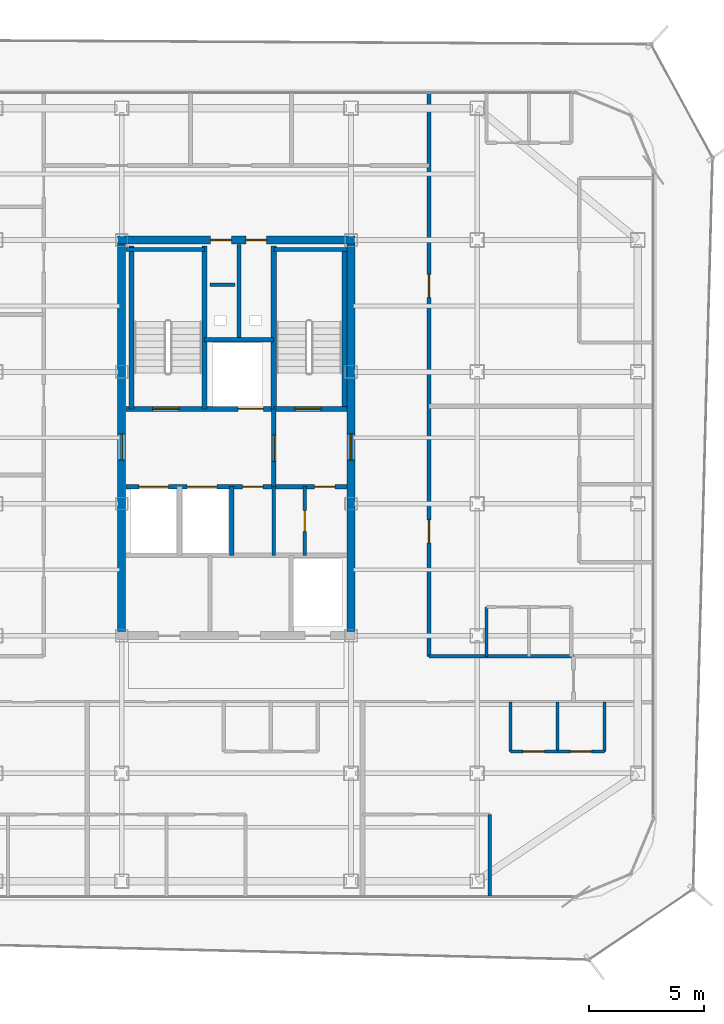
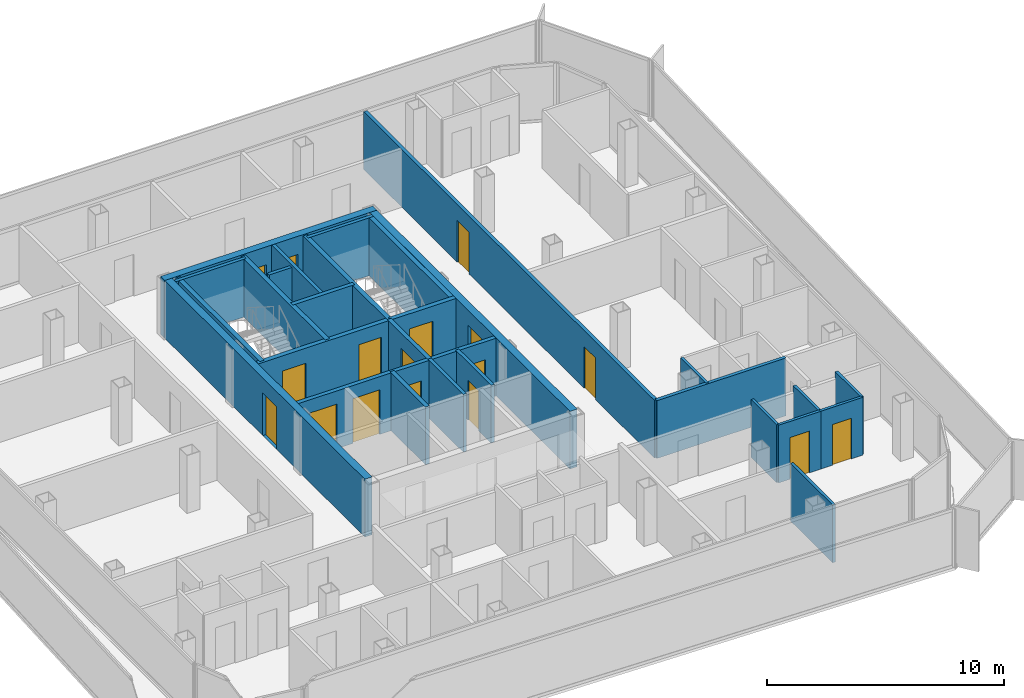
# One storey, part 11 of 15: 28 walls, 17 doors, 17 openings.
"""IFC4 building model written with IfcOpenShell, lengths in metres."""

import ifcopenshell
import ifcopenshell.guid

model = None  # the IFC model being written
_history = None  # IfcOwnerHistory: only IFC2X3 demands one
_inside = {}  # id of a spatial element -> (the spatial element, [elements in it])
_under = {}  # id of a project, library or spatial element -> (it, [spatial elements below it])
_declared = {}  # id of a project -> (the project, [libraries it declares])
_typed = {}  # id of a type object -> (the type object, [elements of that type])
_made_of = {}  # id of a material, layer set ... -> (it, [elements and type objects made of it])


def new_model(schema):
    """Start an empty IFC model of exactly this schema.

    Asked for "IFC4X3", IfcOpenShell would pick the latest addendum, in which some entities
    have other attributes; the version numbers below select the first issue.
    IFC2X3 requires an IfcOwnerHistory on every rooted entity: one is made here for all.
    """
    global model, _history
    if schema == "IFC4X3":
        model = ifcopenshell.file(schema_version=(4, 3, 0, 0))
    else:
        model = ifcopenshell.file(schema=schema)
    _inside.clear()
    _under.clear()
    _declared.clear()
    _typed.clear()
    _made_of.clear()
    _history = None
    if model.schema == "IFC2X3":
        org = make("IfcOrganization", Name="unknown")
        user = make(
            "IfcPersonAndOrganization",
            ThePerson=make("IfcPerson", FamilyName="unknown"),
            TheOrganization=org,
        )
        app = make(
            "IfcApplication",
            ApplicationDeveloper=org,
            Version="unknown",
            ApplicationFullName="unknown",
            ApplicationIdentifier="unknown",
        )
        _history = make(
            "IfcOwnerHistory",
            OwningUser=user,
            OwningApplication=app,
            ChangeAction="ADDED",
            CreationDate=0,
        )
    return model


def make(cls, **values):
    """One entity of the class cls with the attributes given. An attribute that is None is left unset."""
    return model.create_entity(
        cls, **{name: value for name, value in values.items() if value is not None}
    )


def rooted(cls, **values):
    """An entity with a GlobalId (a new one), such as an element, a storey or a relation."""
    return make(cls, GlobalId=ifcopenshell.guid.new(), OwnerHistory=_history, **values)


def si_unit(unit_type, name, prefix=None):
    """IfcSIUnit, for example si_unit("LENGTHUNIT", "METRE", prefix="MILLI")."""
    return make("IfcSIUnit", UnitType=unit_type, Prefix=prefix, Name=name)


def assignment(units):
    """IfcUnitAssignment: the units of a project."""
    return None if units is None else make("IfcUnitAssignment", Units=units)


def point(xyz):
    """IfcCartesianPoint."""
    return None if xyz is None else make("IfcCartesianPoint", Coordinates=xyz)


def direction(xyz):
    """IfcDirection."""
    return None if xyz is None else make("IfcDirection", DirectionRatios=xyz)


def frame(location, z_axis=None, x_axis=None):
    """IfcAxis2Placement3D, a coordinate frame: its origin and axes. An axis left out is left unset."""
    return make(
        "IfcAxis2Placement3D",
        Location=point(location),
        Axis=direction(z_axis),
        RefDirection=direction(x_axis),
    )


def frame_2d(location, x_axis=None):
    """IfcAxis2Placement2D, a coordinate frame in the plane: its origin and x axis."""
    return make(
        "IfcAxis2Placement2D", Location=point(location), RefDirection=direction(x_axis)
    )


def origin():
    """The frame at (0, 0, 0) with its axes left unset."""
    return frame((0.0, 0.0, 0.0))


def place(relative_to, where):
    """IfcLocalPlacement: puts the frame where relative to a parent placement (None: the world)."""
    return make(
        "IfcLocalPlacement", PlacementRelTo=relative_to, RelativePlacement=where
    )


def context(
    kind, dimensions, precision=None, world=None, true_north=None, identifier=None
):
    """IfcGeometricRepresentationContext, for example the 3D "Model" context."""
    return make(
        "IfcGeometricRepresentationContext",
        ContextIdentifier=identifier,
        ContextType=kind,
        CoordinateSpaceDimension=dimensions,
        Precision=precision,
        WorldCoordinateSystem=world,
        TrueNorth=true_north,
    )


def subcontext(parent, identifier, kind, view, scale=None):
    """IfcGeometricRepresentationSubContext, for example "Body" below "Model"."""
    return make(
        "IfcGeometricRepresentationSubContext",
        ContextIdentifier=identifier,
        ContextType=kind,
        ParentContext=parent,
        TargetScale=scale,
        TargetView=view,
    )


def project(units=None, contexts=None):
    """IfcProject with its units and contexts."""
    return rooted(
        "IfcProject",
        Name="project",
        RepresentationContexts=contexts,
        UnitsInContext=assignment(units),
    )


def spatial(cls, under=None, at=None, **own):
    """A site, building, storey or space (cls), placed at a placement, below another one or the project."""
    s = rooted(cls, ObjectPlacement=at, **own)
    if under is not None:
        _under.setdefault(under.id(), (under, []))[1].append(s)
    return s


def profile(cls, at=None, kind="AREA", **sizes):
    """A parametric profile (cls). Its sizes go by their IFC names, for example OverallWidth=200.0."""
    return make(cls, ProfileType=kind, Position=at, **sizes)


def rectangle(**sizes):
    """IfcRectangleProfileDef."""
    return profile("IfcRectangleProfileDef", **sizes)


def extrude(swept, where, along, depth):
    """IfcExtrudedAreaSolid: the profile swept, set in the frame where, extruded along a direction by depth."""
    return make(
        "IfcExtrudedAreaSolid",
        SweptArea=swept,
        Position=where,
        ExtrudedDirection=direction(along),
        Depth=depth,
    )


def shape(context_of_items, identifier, shape_type, items):
    """IfcShapeRepresentation: the items that make up one representation, for example the "Body"."""
    return make(
        "IfcShapeRepresentation",
        ContextOfItems=context_of_items,
        RepresentationIdentifier=identifier,
        RepresentationType=shape_type,
        Items=items,
    )


def material(Name=None, Category=None):
    """IfcMaterial."""
    return make("IfcMaterial", Name=Name, Category=Category)


def layer(
    of_material, thickness, ventilated=None, Name=None, Category=None, Priority=None
):
    """IfcMaterialLayer: one layer of a wall or slab, of a material (None: an air gap)."""
    return make(
        "IfcMaterialLayer",
        Material=of_material,
        LayerThickness=thickness,
        IsVentilated=ventilated,
        Name=Name,
        Category=Category,
        Priority=Priority,
    )


def layer_set(layers, Name=None):
    """IfcMaterialLayerSet."""
    return make("IfcMaterialLayerSet", MaterialLayers=layers, LayerSetName=Name)


def made_of(thing, what):
    """Note that an element or type object is made of a material, layer set ...; save() writes the relation."""
    if what is not None:
        _made_of.setdefault(what.id(), (what, []))[1].append(thing)
    return thing


def type_object(cls, material=None, **own):
    """A type object (cls), such as IfcWallType, which elements share."""
    return made_of(rooted(cls, **own), material)


def element(
    cls,
    number,
    at=None,
    inside=None,
    cuts=None,
    type_object=None,
    material=None,
    context=None,
    identifier="Body",
    shape_type=None,
    held_by="IfcProductDefinitionShape",
    body=None,
    shapes=None,
    **own,
):
    """One element of the class cls, such as IfcWall. Its Tag is "e" and its number.

    at: its placement. inside: the storey or other place that contains it. cuts: it is an
    opening in that element (IfcRelVoidsElement). A single representation is given by context,
    identifier, shape_type and body (its items); several are given by shapes. held_by: the class
    of the entity that holds the representations. save() writes the other relations.
    """
    e = rooted(cls, Tag="e%d" % number, ObjectPlacement=at, **own)
    if body is not None:
        shapes = [shape(context, identifier, shape_type, body)]
    if shapes is not None:
        e.Representation = make(held_by, Representations=shapes)
    if inside is not None:
        _inside.setdefault(inside.id(), (inside, []))[1].append(e)
    if cuts is not None:
        rooted(
            "IfcRelVoidsElement", RelatingBuildingElement=cuts, RelatedOpeningElement=e
        )
    if type_object is not None:
        _typed.setdefault(type_object.id(), (type_object, []))[1].append(e)
    return made_of(e, material)


def fill(opening, filler):
    """IfcRelFillsElement: the door or window that sits in an opening."""
    return rooted(
        "IfcRelFillsElement",
        RelatingOpeningElement=opening,
        RelatedBuildingElement=filler,
    )


def aggregate(whole, parts):
    """IfcRelAggregates: a whole, such as a stair, and the parts it consists of."""
    return rooted("IfcRelAggregates", RelatingObject=whole, RelatedObjects=parts)


def save(model, path):
    """Write the relations noted so far, then the file.

    IfcRelAggregates (storeys below a building ...), IfcRelContainedInSpatialStructure (elements
    in a storey), IfcRelDefinesByType, IfcRelAssociatesMaterial and IfcRelDeclares: one each for
    every whole, place, type object, material and project.
    """
    for whole, parts in _under.values():
        aggregate(whole, parts)
    for where, things in _inside.values():
        rooted(
            "IfcRelContainedInSpatialStructure",
            RelatedElements=things,
            RelatingStructure=where,
        )
    for kind, things in _typed.values():
        rooted("IfcRelDefinesByType", RelatedObjects=things, RelatingType=kind)
    for what, things in _made_of.values():
        rooted("IfcRelAssociatesMaterial", RelatedObjects=things, RelatingMaterial=what)
    for by, libraries in _declared.values():
        rooted("IfcRelDeclares", RelatingContext=by, RelatedDefinitions=libraries)
    model.write(path)


model = new_model("IFC4")

# Units and contexts
model_context = context("Model", 3, precision=1e-05, world=origin(), true_north=direction((0.0, 1.0)))
body_context = subcontext(model_context, "Body", "Model", "MODEL_VIEW")
ifc_project = project(units=[si_unit("LENGTHUNIT", "METRE"), si_unit("AREAUNIT", "SQUARE_METRE"), si_unit("VOLUMEUNIT", "CUBIC_METRE"), si_unit("PLANEANGLEUNIT", "RADIAN"), si_unit("MASSUNIT", "GRAM", prefix="KILO")], contexts=[model_context])

# Site, building, storey
site_placement = place(None, origin())
site = spatial("IfcSite", under=ifc_project, at=site_placement, CompositionType="ELEMENT")
building_placement = place(site_placement, origin())
building = spatial("IfcBuilding", under=site, at=building_placement, Name="Kolveth Station Tower", CompositionType="ELEMENT")
storey_placement = place(building_placement, frame((0.0, 0.0, 252.10009765625)))
storey = spatial("IfcBuildingStorey", under=building, at=storey_placement, Name="L72", CompositionType="ELEMENT", Elevation=252.10009765625)

# Wall, openings, doors
ifc_material_1 = material(Name="Concrete C50/60", Category="concrete")
ifc_layer_1 = layer(ifc_material_1, 0.35009765625)
ifc_layer_set_1 = layer_set([ifc_layer_1], Name="Concrete C50/60")
wall_type_1 = type_object("IfcWallType", Name="Wall_CW-350", PredefinedType="SHEAR", material=ifc_layer_set_1)
wall_1_placement = place(storey_placement, frame((18.324951171875, 28.75, 0.0), z_axis=(0.0, 0.0, 1.0), x_axis=(1.0, 0.0, 0.0)))
wall_1 = element("IfcWall", 1, at=wall_1_placement, inside=storey, type_object=wall_type_1, Name="L72 Core RC Shear Wall N", PredefinedType="SHEAR", context=body_context, shape_type="SweptSolid", body=[
    extrude(rectangle(XDim=10.35009765625, YDim=0.35009765625, at=frame_2d((5.175048828125, 0.0))), origin(), (0.0, 0.0, 1.0), 2.97998046875),
])
opening_1_placement = place(wall_1_placement, frame((4.054931640625, 0.0, 0.0)))
opening_1 = element("IfcOpeningElement", 2, at=opening_1_placement, cuts=wall_1, Name="Opening RD1", PredefinedType="OPENING", context=body_context, shape_type="SweptSolid", body=[
    extrude(rectangle(XDim=0.89990234375, YDim=2.050048828125, at=frame_2d((0.449951171875, 1.02490234375))), frame((0.0, 0.18505859375, 0.0), z_axis=(0.0, -1.0, 0.0), x_axis=(1.0, 0.0, 0.0)), (0.0, 0.0, 1.0), 0.3701171875),
])
opening_2_placement = place(wall_1_placement, frame((5.594970703125, 0.0, 0.0)))
opening_2 = element("IfcOpeningElement", 3, at=opening_2_placement, cuts=wall_1, Name="Opening RD1", PredefinedType="OPENING", context=body_context, shape_type="SweptSolid", body=[
    extrude(rectangle(XDim=0.89990234375, YDim=2.050048828125, at=frame_2d((0.449951171875, 1.02490234375))), frame((0.0, 0.18505859375, 0.0), z_axis=(0.0, -1.0, 0.0), x_axis=(1.0, 0.0, 0.0)), (0.0, 0.0, 1.0), 0.3701171875),
])
ifc_material_2 = material(Name="Fire-rated Steel S355 riser access leaf", Category="steel")
door_type_1 = type_object("IfcDoorType", Name="Door_RD1", OperationType="NOTDEFINED", PredefinedType="DOOR", material=ifc_material_2)
door_1_placement = place(opening_1_placement, origin())
door_1 = element("IfcDoor", 4, at=door_1_placement, inside=storey, type_object=door_type_1, Name="L72 Electrical Riser Access Door", OperationType="SINGLE_SWING_RIGHT", OverallHeight=2.050048828125, OverallWidth=0.89990234375, PredefinedType="DOOR", context=body_context, shape_type="SweptSolid", body=[
    extrude(rectangle(XDim=0.89990234375, YDim=2.050048828125, at=frame_2d((0.449951171875, 1.02490234375))), frame((0.0, 0.02490234375, 0.0), z_axis=(0.0, -1.0, 0.0), x_axis=(1.0, 0.0, 0.0)), (0.0, 0.0, 1.0), 0.050048828125),
])
fill(opening_1, door_1)
door_2_placement = place(opening_2_placement, origin())
door_2 = element("IfcDoor", 5, at=door_2_placement, inside=storey, type_object=door_type_1, Name="L72 Smoke Duct Access Door", OperationType="SINGLE_SWING_LEFT", OverallHeight=2.050048828125, OverallWidth=0.89990234375, PredefinedType="DOOR", context=body_context, shape_type="SweptSolid", body=[
    extrude(rectangle(XDim=0.89990234375, YDim=2.050048828125, at=frame_2d((0.449951171875, 1.02490234375))), frame((0.0, 0.02490234375, 0.0), z_axis=(0.0, -1.0, 0.0), x_axis=(1.0, 0.0, 0.0)), (0.0, 0.0, 1.0), 0.050048828125),
])
fill(opening_2, door_2)

# Wall, opening, door
wall_2_placement = place(storey_placement, frame((18.5, 11.675048828125, 0.0), z_axis=(0.0, 0.0, 1.0), x_axis=(0.0, 1.0, 0.0)))
wall_2 = element("IfcWall", 6, at=wall_2_placement, inside=storey, type_object=wall_type_1, Name="L72 Core RC Shear Wall W", PredefinedType="SHEAR", context=body_context, shape_type="SweptSolid", body=[
    extrude(rectangle(XDim=16.89990234375, YDim=0.35009765625, at=frame_2d((8.449951171875, 0.0))), origin(), (0.0, 0.0, 1.0), 2.97998046875),
])
opening_3_placement = place(wall_2_placement, frame((7.47509765625, 0.0, 0.0)))
opening_3 = element("IfcOpeningElement", 7, at=opening_3_placement, cuts=wall_2, Name="Opening FD1", PredefinedType="OPENING", context=body_context, shape_type="SweptSolid", body=[
    extrude(rectangle(XDim=1.14990234375, YDim=2.199951171875, at=frame_2d((0.574951171875, 1.10009765625))), frame((0.0, 0.18505859375, 0.0), z_axis=(0.0, -1.0, 0.0), x_axis=(1.0, 0.0, 0.0)), (0.0, 0.0, 1.0), 0.3701171875),
])
ifc_material_3 = material(Name="Fire-rated Steel S355 leaf and frame", Category="steel")
door_type_2 = type_object("IfcDoorType", Name="Door_FD1", OperationType="NOTDEFINED", PredefinedType="DOOR", material=ifc_material_3)
door_3_placement = place(opening_3_placement, frame((1.14990234375, 0.0, 0.0), z_axis=(0.0, 0.0, 1.0), x_axis=(-1.0, 0.0, 0.0)))
door_3 = element("IfcDoor", 8, at=door_3_placement, inside=storey, type_object=door_type_2, Name="L72 West Corridor to Firefighting Lobby Door", OperationType="SINGLE_SWING_RIGHT", OverallHeight=2.199951171875, OverallWidth=1.14990234375, PredefinedType="DOOR", context=body_context, shape_type="SweptSolid", body=[
    extrude(rectangle(XDim=1.14990234375, YDim=2.199951171875, at=frame_2d((0.574951171875, 1.10009765625))), frame((0.0, 0.02490234375, 0.0), z_axis=(0.0, -1.0, 0.0), x_axis=(1.0, 0.0, 0.0)), (0.0, 0.0, 1.0), 0.050048828125),
])
fill(opening_3, door_3)

wall_3_placement = place(storey_placement, frame((28.5, 11.675048828125, 0.0), z_axis=(0.0, 0.0, 1.0), x_axis=(0.0, 1.0, 0.0)))
wall_3 = element("IfcWall", 9, at=wall_3_placement, inside=storey, type_object=wall_type_1, Name="L72 Core RC Shear Wall E", PredefinedType="SHEAR", context=body_context, shape_type="SweptSolid", body=[
    extrude(rectangle(XDim=16.89990234375, YDim=0.35009765625, at=frame_2d((8.449951171875, 0.0))), origin(), (0.0, 0.0, 1.0), 2.97998046875),
])
opening_4_placement = place(wall_3_placement, frame((7.47509765625, 0.0, 0.0)))
opening_4 = element("IfcOpeningElement", 10, at=opening_4_placement, cuts=wall_3, Name="Opening FD1", PredefinedType="OPENING", context=body_context, shape_type="SweptSolid", body=[
    extrude(rectangle(XDim=1.14990234375, YDim=2.199951171875, at=frame_2d((0.574951171875, 1.10009765625))), frame((0.0, 0.18505859375, 0.0), z_axis=(0.0, -1.0, 0.0), x_axis=(1.0, 0.0, 0.0)), (0.0, 0.0, 1.0), 0.3701171875),
])
door_4_placement = place(opening_4_placement, origin())
door_4 = element("IfcDoor", 11, at=door_4_placement, inside=storey, type_object=door_type_2, Name="L72 East Corridor to Stair Lobby Door", OperationType="SINGLE_SWING_LEFT", OverallHeight=2.199951171875, OverallWidth=1.14990234375, PredefinedType="DOOR", context=body_context, shape_type="SweptSolid", body=[
    extrude(rectangle(XDim=1.14990234375, YDim=2.199951171875, at=frame_2d((0.574951171875, 1.10009765625))), frame((0.0, 0.02490234375, 0.0), z_axis=(0.0, -1.0, 0.0), x_axis=(1.0, 0.0, 0.0)), (0.0, 0.0, 1.0), 0.050048828125),
])
fill(opening_4, door_4)

ifc_material_4 = material(Name="Moisture-resistant gypsum partition")
ifc_layer_2 = layer(ifc_material_4, 0.135009765625)
ifc_layer_set_2 = layer_set([ifc_layer_2], Name="Moisture-resistant gypsum partition")
wall_type_2 = type_object("IfcWallType", Name="Wall_IW-135", PredefinedType="PARTITIONING", material=ifc_layer_set_2)
wall_4_placement = place(storey_placement, frame((35.449951171875, 6.449951171875, 0.0), z_axis=(0.0, 0.0, 1.0), x_axis=(1.0, 0.0, 0.0)))
wall_4 = element("IfcWall", 12, at=wall_4_placement, inside=storey, type_object=wall_type_2, Name="L72 Partition Wall WL-L72-A3-IBHK", PredefinedType="PARTITIONING", context=body_context, shape_type="SweptSolid", body=[
    extrude(rectangle(XDim=2.050048828125, YDim=0.135009765625, at=frame_2d((1.02490234375, 0.0))), origin(), (0.0, 0.0, 1.0), 2.97998046875),
])
opening_5_placement = place(wall_4_placement, frame((0.544921875, 0.0, 0.0)))
opening_5 = element("IfcOpeningElement", 13, at=opening_5_placement, cuts=wall_4, Name="Opening ID1", PredefinedType="OPENING", context=body_context, shape_type="SweptSolid", body=[
    extrude(rectangle(XDim=0.949951171875, YDim=2.14990234375, at=frame_2d((0.47509765625, 1.074951171875))), frame((0.0, 0.077392578125, 0.0), z_axis=(0.0, -1.0, 0.0), x_axis=(1.0, 0.0, 0.0)), (0.0, 0.0, 1.0), 0.155029296875),
])
ifc_material_5 = material(Name="Acoustic hardwood leaf and aluminium frame", Category="wood")
door_type_3 = type_object("IfcDoorType", Name="Door_ID1", OperationType="NOTDEFINED", PredefinedType="DOOR", material=ifc_material_5)
door_5_placement = place(opening_5_placement, origin())
door_5 = element("IfcDoor", 14, at=door_5_placement, inside=storey, type_object=door_type_3, Name="Penthouse Flat L72-A3 Kitchen Door", OperationType="SINGLE_SWING_RIGHT", OverallHeight=2.14990234375, OverallWidth=0.949951171875, PredefinedType="DOOR", context=body_context, shape_type="SweptSolid", body=[
    extrude(rectangle(XDim=0.949951171875, YDim=2.14990234375, at=frame_2d((0.47509765625, 1.074951171875))), frame((0.0, 0.02490234375, 0.0), z_axis=(0.0, -1.0, 0.0), x_axis=(1.0, 0.0, 0.0)), (0.0, 0.0, 1.0), 0.050048828125),
])
fill(opening_5, door_5)

wall_5_placement = place(storey_placement, frame((37.5, 6.449951171875, 0.0), z_axis=(0.0, 0.0, 1.0), x_axis=(1.0, 0.0, 0.0)))
wall_5 = element("IfcWall", 15, at=wall_5_placement, inside=storey, type_object=wall_type_2, Name="L72 Partition Wall WL-L72-A3-IBHB", PredefinedType="PARTITIONING", context=body_context, shape_type="SweptSolid", body=[
    extrude(rectangle(XDim=2.050048828125, YDim=0.135009765625, at=frame_2d((1.02490234375, 0.0))), origin(), (0.0, 0.0, 1.0), 2.97998046875),
])
opening_6_placement = place(wall_5_placement, frame((0.56494140625, 0.0, 0.0)))
opening_6 = element("IfcOpeningElement", 16, at=opening_6_placement, cuts=wall_5, Name="Opening ID2", PredefinedType="OPENING", context=body_context, shape_type="SweptSolid", body=[
    extrude(rectangle(XDim=0.919921875, YDim=2.10009765625, at=frame_2d((0.4599609375, 1.050048828125))), frame((0.0, 0.077392578125, 0.0), z_axis=(0.0, -1.0, 0.0), x_axis=(1.0, 0.0, 0.0)), (0.0, 0.0, 1.0), 0.155029296875),
])
ifc_material_6 = material(Name="Moisture-resistant hardwood leaf", Category="wood")
door_type_4 = type_object("IfcDoorType", Name="Door_ID2", OperationType="NOTDEFINED", PredefinedType="DOOR", material=ifc_material_6)
door_6_placement = place(opening_6_placement, origin())
door_6 = element("IfcDoor", 17, at=door_6_placement, inside=storey, type_object=door_type_4, Name="Penthouse Flat L72-A3 Bathroom Door", OperationType="SINGLE_SWING_LEFT", OverallHeight=2.10009765625, OverallWidth=0.919921875, PredefinedType="DOOR", context=body_context, shape_type="SweptSolid", body=[
    extrude(rectangle(XDim=0.919921875, YDim=2.10009765625, at=frame_2d((0.4599609375, 1.050048828125))), frame((0.0, 0.02490234375, 0.0), z_axis=(0.0, -1.0, 0.0), x_axis=(1.0, 0.0, 0.0)), (0.0, 0.0, 1.0), 0.050048828125),
])
fill(opening_6, door_6)

# Walls
for number, where, z_axis, x_axis, name in (
    (18, (35.449951171875, 6.449951171875, 0.0), (0.0, 0.0, 1.0), (0.0, 1.0, 0.0), "L72 Partition Wall WL-L72-A3-IBV0"),
    (19, (37.5, 6.449951171875, 0.0), (0.0, 0.0, 1.0), (0.0, 1.0, 0.0), "L72 Partition Wall WL-L72-A3-IBV1"),
    (20, (39.550048828125, 6.449951171875, 0.0), (0.0, 0.0, 1.0), (0.0, 1.0, 0.0), "L72 Partition Wall WL-L72-A3-IBV2"),
):
    element("IfcWall", number, at=place(storey_placement, frame(where, z_axis=z_axis, x_axis=x_axis)), inside=storey, type_object=wall_type_2, Name=name, PredefinedType="PARTITIONING", context=body_context, shape_type="SweptSolid", body=[
        extrude(rectangle(XDim=2.150146484375, YDim=0.135009765625, at=frame_2d((1.0751953125, 0.0))), origin(), (0.0, 0.0, 1.0), 2.97998046875),
    ])
wall_6_placement = place(storey_placement, frame((34.549072265625, 0.159912109375, 0.0), z_axis=(0.0, 0.0, 1.0), x_axis=(0.0, 1.0, 0.0)))
element("IfcWall", 21, at=wall_6_placement, inside=storey, type_object=wall_type_2, Name="L72 Partition Wall WL-L72-A3-BDVE", PredefinedType="PARTITIONING", context=body_context, shape_type="SweptSolid", body=[
    extrude(rectangle(XDim=3.550048828125, YDim=0.135009765625, at=frame_2d((1.77490234375, 0.0))), origin(), (0.0, 0.0, 1.0), 2.97998046875),
])
wall_7_placement = place(storey_placement, frame((34.39990234375, 10.60009765625, 0.0), z_axis=(0.0, 0.0, 1.0), x_axis=(0.0, 1.0, 0.0)))
element("IfcWall", 22, at=wall_7_placement, inside=storey, type_object=wall_type_2, Name="L72 Partition Wall WL-L72-E1-IBV0", PredefinedType="PARTITIONING", context=body_context, shape_type="SweptSolid", body=[
    extrude(rectangle(XDim=2.14990234375, YDim=0.135009765625, at=frame_2d((1.074951171875, 0.0))), origin(), (0.0, 0.0, 1.0), 2.97998046875),
])
ifc_material_7 = material(Name="Acoustic double-stud gypsum partition")
ifc_layer_3 = layer(ifc_material_7, 0.1650390625)
ifc_layer_set_3 = layer_set([ifc_layer_3], Name="Acoustic double-stud gypsum partition")
wall_type_3 = type_object("IfcWallType", Name="Wall_IW-165", PredefinedType="PARTITIONING", material=ifc_layer_set_3)
wall_8_placement = place(storey_placement, frame((18.68505859375, 28.3349609375, 0.0), z_axis=(0.0, 0.0, 1.0), x_axis=(1.0, 0.0, 0.0)))
element("IfcWall", 23, at=wall_8_placement, inside=storey, type_object=wall_type_3, Name="L72 Stair Shaft Wall WL-L72-ST1-N", PredefinedType="PARTITIONING", context=body_context, shape_type="SweptSolid", body=[
    extrude(rectangle(XDim=3.425048828125, YDim=0.1650390625, at=frame_2d((1.71240234375, 0.0))), origin(), (0.0, 0.0, 1.0), 2.97998046875),
])
wall_9_placement = place(storey_placement, frame((25.1298828125, 28.3349609375, 0.0), z_axis=(0.0, 0.0, 1.0), x_axis=(1.0, 0.0, 0.0)))
element("IfcWall", 24, at=wall_9_placement, inside=storey, type_object=wall_type_3, Name="L72 Stair Shaft Wall WL-L72-ST2-N", PredefinedType="PARTITIONING", context=body_context, shape_type="SweptSolid", body=[
    extrude(rectangle(XDim=3.18505859375, YDim=0.1650390625, at=frame_2d((1.592529296875, 0.0))), origin(), (0.0, 0.0, 1.0), 2.97998046875),
])
wall_10_placement = place(storey_placement, frame((23.6201171875, 24.39990234375, 0.0), z_axis=(0.0, 0.0, 1.0), x_axis=(0.0, 1.0, 0.0)))
element("IfcWall", 25, at=wall_10_placement, inside=storey, type_object=wall_type_3, Name="L72 Partition Wall WL-L72-RSR-M", PredefinedType="PARTITIONING", context=body_context, shape_type="SweptSolid", body=[
    extrude(rectangle(XDim=4.1650390625, YDim=0.1650390625, at=frame_2d((2.08251953125, 0.0))), origin(), (0.0, 0.0, 1.0), 2.97998046875),
])
wall_11_placement = place(storey_placement, frame((25.1298828125, 15.0, 0.0), z_axis=(0.0, 0.0, 1.0), x_axis=(0.0, 1.0, 0.0)))
element("IfcWall", 26, at=wall_11_placement, inside=storey, type_object=wall_type_3, Name="L72 Partition Wall WL-L72-CB-V3A", PredefinedType="PARTITIONING", context=body_context, shape_type="SweptSolid", body=[
    extrude(rectangle(XDim=3.0, YDim=0.1650390625, at=frame_2d((1.5, 0.0))), origin(), (0.0, 0.0, 1.0), 2.97998046875),
])

# Wall, opening, door
wall_12_placement = place(storey_placement, frame((26.47998046875, 15.0, 0.0), z_axis=(0.0, 0.0, 1.0), x_axis=(0.0, 1.0, 0.0)))
wall_12 = element("IfcWall", 27, at=wall_12_placement, inside=storey, type_object=wall_type_3, Name="L72 Partition Wall WL-L72-CB-V3B", PredefinedType="PARTITIONING", context=body_context, shape_type="SweptSolid", body=[
    extrude(rectangle(XDim=3.0, YDim=0.1650390625, at=frame_2d((1.5, 0.0))), origin(), (0.0, 0.0, 1.0), 2.97998046875),
])
opening_7_placement = place(wall_12_placement, frame((1.050048828125, 0.0, 0.0)))
opening_7 = element("IfcOpeningElement", 28, at=opening_7_placement, cuts=wall_12, Name="Opening RD1", PredefinedType="OPENING", context=body_context, shape_type="SweptSolid", body=[
    extrude(rectangle(XDim=0.89990234375, YDim=2.050048828125, at=frame_2d((0.449951171875, 1.02490234375))), frame((0.0, 0.092529296875, 0.0), z_axis=(0.0, -1.0, 0.0), x_axis=(1.0, 0.0, 0.0)), (0.0, 0.0, 1.0), 0.18505859375),
])
door_7_placement = place(opening_7_placement, origin())
door_7 = element("IfcDoor", 29, at=door_7_placement, inside=storey, type_object=door_type_1, Name="L72 Core Meter Closet Door", OperationType="SINGLE_SWING_RIGHT", OverallHeight=2.050048828125, OverallWidth=0.89990234375, PredefinedType="DOOR", context=body_context, shape_type="SweptSolid", body=[
    extrude(rectangle(XDim=0.89990234375, YDim=2.050048828125, at=frame_2d((0.449951171875, 1.02490234375))), frame((0.0, 0.02490234375, 0.0), z_axis=(0.0, -1.0, 0.0), x_axis=(1.0, 0.0, 0.0)), (0.0, 0.0, 1.0), 0.050048828125),
])
fill(opening_7, door_7)

# Wall
wall_13_placement = place(storey_placement, frame((31.89990234375, 10.60009765625, 0.0), z_axis=(0.0, 0.0, 1.0), x_axis=(1.0, 0.0, 0.0)))
element("IfcWall", 30, at=wall_13_placement, inside=storey, type_object=wall_type_3, Name="L72 Partition Wall WL-L72-RSET", PredefinedType="PARTITIONING", context=body_context, shape_type="SweptSolid", body=[
    extrude(rectangle(XDim=6.300048828125, YDim=0.1650390625, at=frame_2d((3.14990234375, 0.0))), origin(), (0.0, 0.0, 1.0), 2.97998046875),
])

# Wall, openings, doors
wall_14_placement = place(storey_placement, frame((31.89990234375, 10.60009765625, 0.0), z_axis=(0.0, 0.0, 1.0), x_axis=(0.0, 1.0, 0.0)))
wall_14 = element("IfcWall", 31, at=wall_14_placement, inside=storey, type_object=wall_type_3, Name="L72 Partition Wall WL-L72-RE", PredefinedType="PARTITIONING", context=body_context, shape_type="SweptSolid", body=[
    extrude(rectangle(XDim=24.539794921875, YDim=0.1650390625, at=frame_2d((12.27001953125, 0.0))), origin(), (0.0, 0.0, 1.0), 2.97998046875),
])
opening_8_placement = place(wall_14_placement, frame((4.949951171875, 0.0, 0.0)))
opening_8 = element("IfcOpeningElement", 32, at=opening_8_placement, cuts=wall_14, Name="Opening FD3", PredefinedType="OPENING", context=body_context, shape_type="SweptSolid", body=[
    extrude(rectangle(XDim=1.0, YDim=2.14990234375, at=frame_2d((0.5, 1.074951171875))), frame((0.0, 0.092529296875, 0.0), z_axis=(0.0, -1.0, 0.0), x_axis=(1.0, 0.0, 0.0)), (0.0, 0.0, 1.0), 0.18505859375),
])
opening_9_placement = place(wall_14_placement, frame((15.64990234375, 0.0, 0.0)))
opening_9 = element("IfcOpeningElement", 33, at=opening_9_placement, cuts=wall_14, Name="Opening FD3", PredefinedType="OPENING", context=body_context, shape_type="SweptSolid", body=[
    extrude(rectangle(XDim=1.0, YDim=2.14990234375, at=frame_2d((0.5, 1.074951171875))), frame((0.0, 0.092529296875, 0.0), z_axis=(0.0, -1.0, 0.0), x_axis=(1.0, 0.0, 0.0)), (0.0, 0.0, 1.0), 0.18505859375),
])
ifc_material_8 = material(Name="Fire-rated hardwood leaf and aluminium frame", Category="wood")
door_type_5 = type_object("IfcDoorType", Name="Door_FD3", OperationType="NOTDEFINED", PredefinedType="DOOR", material=ifc_material_8)
door_8_placement = place(opening_8_placement, frame((1.0, 0.0, 0.0), z_axis=(0.0, 0.0, 1.0), x_axis=(-1.0, 0.0, 0.0)))
door_8 = element("IfcDoor", 34, at=door_8_placement, inside=storey, type_object=door_type_5, Name="Penthouse Flat L72-E1 Entrance Door", OperationType="SINGLE_SWING_RIGHT", OverallHeight=2.14990234375, OverallWidth=1.0, PredefinedType="DOOR", context=body_context, shape_type="SweptSolid", body=[
    extrude(rectangle(XDim=1.0, YDim=2.14990234375, at=frame_2d((0.5, 1.074951171875))), frame((0.0, 0.02490234375, 0.0), z_axis=(0.0, -1.0, 0.0), x_axis=(1.0, 0.0, 0.0)), (0.0, 0.0, 1.0), 0.050048828125),
])
fill(opening_8, door_8)
door_9_placement = place(opening_9_placement, frame((1.0, 0.0, 0.0), z_axis=(0.0, 0.0, 1.0), x_axis=(-1.0, 0.0, 0.0)))
door_9 = element("IfcDoor", 35, at=door_9_placement, inside=storey, type_object=door_type_5, Name="Penthouse Flat L72-E2 Entrance Door", OperationType="SINGLE_SWING_LEFT", OverallHeight=2.14990234375, OverallWidth=1.0, PredefinedType="DOOR", context=body_context, shape_type="SweptSolid", body=[
    extrude(rectangle(XDim=1.0, YDim=2.14990234375, at=frame_2d((0.5, 1.074951171875))), frame((0.0, 0.02490234375, 0.0), z_axis=(0.0, -1.0, 0.0), x_axis=(1.0, 0.0, 0.0)), (0.0, 0.0, 1.0), 0.050048828125),
])
fill(opening_9, door_9)

# Walls
wall_15_placement = place(storey_placement, frame((22.35009765625, 26.800048828125, 0.0), z_axis=(0.0, 0.0, 1.0), x_axis=(1.0, 0.0, 0.0)))
element("IfcWall", 36, at=wall_15_placement, inside=storey, type_object=wall_type_3, Name="L72 Acoustic Riser Dry-Lining Wall", PredefinedType="PARTITIONING", context=body_context, shape_type="SweptSolid", body=[
    extrude(rectangle(XDim=1.099853515625, YDim=0.1650390625, at=frame_2d((0.5498046875, 0.0))), origin(), (0.0, 0.0, 1.0), 2.97998046875),
])
ifc_material_9 = material(Name="Acoustic fire-rated gypsum blockwork", Category="masonry")
ifc_layer_4 = layer(ifc_material_9, 0.199951171875)
ifc_layer_set_4 = layer_set([ifc_layer_4], Name="Acoustic fire-rated gypsum blockwork")
wall_type_4 = type_object("IfcWallType", Name="Wall_IW-200", PredefinedType="PARTITIONING", material=ifc_layer_set_4)
wall_16_placement = place(storey_placement, frame((22.110107421875, 24.39990234375, 0.0), z_axis=(0.0, 0.0, 1.0), x_axis=(1.0, 0.0, 0.0)))
element("IfcWall", 37, at=wall_16_placement, inside=storey, type_object=wall_type_4, Name="L72 Partition Wall WL-L72-RSR-S", PredefinedType="PARTITIONING", context=body_context, shape_type="SweptSolid", body=[
    extrude(rectangle(XDim=3.019775390625, YDim=0.199951171875, at=frame_2d((1.509765625, 0.0))), origin(), (0.0, 0.0, 1.0), 2.97998046875),
])

# Wall, opening, door
wall_17_placement = place(storey_placement, frame((25.1298828125, 18.0, 0.0), z_axis=(0.0, 0.0, 1.0), x_axis=(0.0, 1.0, 0.0)))
wall_17 = element("IfcWall", 38, at=wall_17_placement, inside=storey, type_object=wall_type_4, Name="L72 Partition Wall WL-L72-FFL-E", PredefinedType="PARTITIONING", context=body_context, shape_type="SweptSolid", body=[
    extrude(rectangle(XDim=3.389892578125, YDim=0.199951171875, at=frame_2d((1.69482421875, 0.0))), origin(), (0.0, 0.0, 1.0), 2.97998046875),
])
opening_10_placement = place(wall_17_placement, frame((1.10009765625, 0.0, 0.0)))
opening_10 = element("IfcOpeningElement", 39, at=opening_10_placement, cuts=wall_17, Name="Opening FD1", PredefinedType="OPENING", context=body_context, shape_type="SweptSolid", body=[
    extrude(rectangle(XDim=1.14990234375, YDim=2.199951171875, at=frame_2d((0.574951171875, 1.10009765625))), frame((0.0, 0.10986328125, 0.0), z_axis=(0.0, -1.0, 0.0), x_axis=(1.0, 0.0, 0.0)), (0.0, 0.0, 1.0), 0.219970703125),
])
door_10_placement = place(opening_10_placement, origin())
door_10 = element("IfcDoor", 40, at=door_10_placement, inside=storey, type_object=door_type_2, Name="L72 Firefighting to Stair Lobby Door", OperationType="SINGLE_SWING_RIGHT", OverallHeight=2.199951171875, OverallWidth=1.14990234375, PredefinedType="DOOR", context=body_context, shape_type="SweptSolid", body=[
    extrude(rectangle(XDim=1.14990234375, YDim=2.199951171875, at=frame_2d((0.574951171875, 1.10009765625))), frame((0.0, 0.02490234375, 0.0), z_axis=(0.0, -1.0, 0.0), x_axis=(1.0, 0.0, 0.0)), (0.0, 0.0, 1.0), 0.050048828125),
])
fill(opening_10, door_10)

# Wall, openings, doors
wall_18_placement = place(storey_placement, frame((18.68505859375, 18.0, 0.0), z_axis=(0.0, 0.0, 1.0), x_axis=(1.0, 0.0, 0.0)))
wall_18 = element("IfcWall", 41, at=wall_18_placement, inside=storey, type_object=wall_type_4, Name="L72 Partition Wall WL-L72-FFL-S", PredefinedType="PARTITIONING", context=body_context, shape_type="SweptSolid", body=[
    extrude(rectangle(XDim=9.6298828125, YDim=0.199951171875, at=frame_2d((4.81494140625, 0.0))), origin(), (0.0, 0.0, 1.0), 2.97998046875),
])
opening_11_placement = place(wall_18_placement, frame((0.56494140625, 0.0, 0.0)))
opening_11 = element("IfcOpeningElement", 42, at=opening_11_placement, cuts=wall_18, Name="Opening LD2", PredefinedType="OPENING", context=body_context, shape_type="SweptSolid", body=[
    extrude(rectangle(XDim=1.300048828125, YDim=2.300048828125, at=frame_2d((0.64990234375, 1.14990234375))), frame((0.0, 0.10986328125, 0.0), z_axis=(0.0, -1.0, 0.0), x_axis=(1.0, 0.0, 0.0)), (0.0, 0.0, 1.0), 0.219970703125),
])
opening_12_placement = place(wall_18_placement, frame((2.6650390625, 0.0, 0.0)))
opening_12 = element("IfcOpeningElement", 43, at=opening_12_placement, cuts=wall_18, Name="Opening LD2", PredefinedType="OPENING", context=body_context, shape_type="SweptSolid", body=[
    extrude(rectangle(XDim=1.300048828125, YDim=2.300048828125, at=frame_2d((0.64990234375, 1.14990234375))), frame((0.0, 0.10986328125, 0.0), z_axis=(0.0, -1.0, 0.0), x_axis=(1.0, 0.0, 0.0)), (0.0, 0.0, 1.0), 0.219970703125),
])
opening_13_placement = place(wall_18_placement, frame((5.0849609375, 0.0, 0.0)))
opening_13 = element("IfcOpeningElement", 44, at=opening_13_placement, cuts=wall_18, Name="Opening RD1", PredefinedType="OPENING", context=body_context, shape_type="SweptSolid", body=[
    extrude(rectangle(XDim=0.89990234375, YDim=2.050048828125, at=frame_2d((0.449951171875, 1.02490234375))), frame((0.0, 0.10986328125, 0.0), z_axis=(0.0, -1.0, 0.0), x_axis=(1.0, 0.0, 0.0)), (0.0, 0.0, 1.0), 0.219970703125),
])
opening_14_placement = place(wall_18_placement, frame((8.215087890625, 0.0, 0.0)))
opening_14 = element("IfcOpeningElement", 45, at=opening_14_placement, cuts=wall_18, Name="Opening RD1", PredefinedType="OPENING", context=body_context, shape_type="SweptSolid", body=[
    extrude(rectangle(XDim=0.89990234375, YDim=2.050048828125, at=frame_2d((0.449951171875, 1.02490234375))), frame((0.0, 0.10986328125, 0.0), z_axis=(0.0, -1.0, 0.0), x_axis=(1.0, 0.0, 0.0)), (0.0, 0.0, 1.0), 0.219970703125),
])
ifc_material_10 = material(Name="Firefighting stainless steel sliding landing doors", Category="steel")
door_type_6 = type_object("IfcDoorType", Name="Door_LD2", OperationType="NOTDEFINED", PredefinedType="DOOR", material=ifc_material_10)
door_11_placement = place(opening_11_placement, origin())
door_11 = element("IfcDoor", 46, at=door_11_placement, inside=storey, type_object=door_type_6, Name="L72 Firefighting Lift FF1 Landing Door", OperationType="DOUBLE_DOOR_SLIDING", OverallHeight=2.300048828125, OverallWidth=1.300048828125, PredefinedType="DOOR", context=body_context, shape_type="SweptSolid", body=[
    extrude(rectangle(XDim=1.300048828125, YDim=2.300048828125, at=frame_2d((0.64990234375, 1.14990234375))), frame((0.0, 0.02490234375, 0.0), z_axis=(0.0, -1.0, 0.0), x_axis=(1.0, 0.0, 0.0)), (0.0, 0.0, 1.0), 0.050048828125),
])
fill(opening_11, door_11)
door_12_placement = place(opening_12_placement, origin())
door_12 = element("IfcDoor", 47, at=door_12_placement, inside=storey, type_object=door_type_6, Name="L72 Firefighting Lift FF2 Landing Door", OperationType="DOUBLE_DOOR_SLIDING", OverallHeight=2.300048828125, OverallWidth=1.300048828125, PredefinedType="DOOR", context=body_context, shape_type="SweptSolid", body=[
    extrude(rectangle(XDim=1.300048828125, YDim=2.300048828125, at=frame_2d((0.64990234375, 1.14990234375))), frame((0.0, 0.02490234375, 0.0), z_axis=(0.0, -1.0, 0.0), x_axis=(1.0, 0.0, 0.0)), (0.0, 0.0, 1.0), 0.050048828125),
])
fill(opening_12, door_12)
door_13_placement = place(opening_13_placement, frame((0.89990234375, 0.0, 0.0), z_axis=(0.0, 0.0, 1.0), x_axis=(-1.0, 0.0, 0.0)))
door_13 = element("IfcDoor", 48, at=door_13_placement, inside=storey, type_object=door_type_1, Name="L72 Core Staff WC Door", OperationType="SINGLE_SWING_LEFT", OverallHeight=2.050048828125, OverallWidth=0.89990234375, PredefinedType="DOOR", context=body_context, shape_type="SweptSolid", body=[
    extrude(rectangle(XDim=0.89990234375, YDim=2.050048828125, at=frame_2d((0.449951171875, 1.02490234375))), frame((0.0, 0.02490234375, 0.0), z_axis=(0.0, -1.0, 0.0), x_axis=(1.0, 0.0, 0.0)), (0.0, 0.0, 1.0), 0.050048828125),
])
fill(opening_13, door_13)
door_14_placement = place(opening_14_placement, frame((0.89990234375, 0.0, 0.0), z_axis=(0.0, 0.0, 1.0), x_axis=(-1.0, 0.0, 0.0)))
door_14 = element("IfcDoor", 49, at=door_14_placement, inside=storey, type_object=door_type_1, Name="L72 Core Janitor Store Door", OperationType="SINGLE_SWING_LEFT", OverallHeight=2.050048828125, OverallWidth=0.89990234375, PredefinedType="DOOR", context=body_context, shape_type="SweptSolid", body=[
    extrude(rectangle(XDim=0.89990234375, YDim=2.050048828125, at=frame_2d((0.449951171875, 1.02490234375))), frame((0.0, 0.02490234375, 0.0), z_axis=(0.0, -1.0, 0.0), x_axis=(1.0, 0.0, 0.0)), (0.0, 0.0, 1.0), 0.050048828125),
])
fill(opening_14, door_14)

# Walls
wall_19_placement = place(storey_placement, frame((23.300048828125, 15.0, 0.0), z_axis=(0.0, 0.0, 1.0), x_axis=(0.0, 1.0, 0.0)))
element("IfcWall", 50, at=wall_19_placement, inside=storey, type_object=wall_type_4, Name="L72 Partition Wall WL-L72-FF2E", PredefinedType="PARTITIONING", context=body_context, shape_type="SweptSolid", body=[
    extrude(rectangle(XDim=3.0, YDim=0.199951171875, at=frame_2d((1.5, 0.0))), origin(), (0.0, 0.0, 1.0), 2.97998046875),
])
ifc_material_11 = material(Name="Concrete C40/50", Category="concrete")
ifc_layer_5 = layer(ifc_material_11, 0.219970703125)
ifc_layer_set_5 = layer_set([ifc_layer_5], Name="Concrete C40/50")
wall_type_5 = type_object("IfcWallType", Name="Wall_IW-220", PredefinedType="SOLIDWALL", material=ifc_layer_set_5)
for number, where, z_axis, x_axis, name in (
    (51, (18.929931640625, 21.389892578125, 0.0), (0.0, 0.0, 1.0), (0.0, 1.0, 0.0), "L72 Stair Shaft Wall WL-L72-ST1-W"),
    (52, (22.110107421875, 21.389892578125, 0.0), (0.0, 0.0, 1.0), (0.0, 1.0, 0.0), "L72 Stair Shaft Wall WL-L72-ST1-E"),
    (53, (25.1298828125, 21.389892578125, 0.0), (0.0, 0.0, 1.0), (0.0, 1.0, 0.0), "L72 Stair Shaft Wall WL-L72-ST2-W"),
):
    element("IfcWall", number, at=place(storey_placement, frame(where, z_axis=z_axis, x_axis=x_axis)), inside=storey, type_object=wall_type_5, Name=name, PredefinedType="SOLIDWALL", context=body_context, shape_type="SweptSolid", body=[
        extrude(rectangle(XDim=7.110107421875, YDim=0.219970703125, at=frame_2d((3.55517578125, 0.0))), origin(), (0.0, 0.0, 1.0), 2.97998046875),
    ])
wall_20_placement = place(storey_placement, frame((28.2099609375, 21.389892578125, 0.0), z_axis=(0.0, 0.0, 1.0), x_axis=(0.0, 1.0, 0.0)))
element("IfcWall", 54, at=wall_20_placement, inside=storey, type_object=wall_type_5, Name="L72 Stair Shaft Wall WL-L72-ST2-E", PredefinedType="SOLIDWALL", context=body_context, shape_type="SweptSolid", body=[
    extrude(rectangle(XDim=6.945068359375, YDim=0.219970703125, at=frame_2d((3.47265625, 0.0))), origin(), (0.0, 0.0, 1.0), 2.97998046875),
])

# Wall, openings, doors
wall_21_placement = place(storey_placement, frame((18.68505859375, 21.389892578125, 0.0), z_axis=(0.0, 0.0, 1.0), x_axis=(1.0, 0.0, 0.0)))
wall_21 = element("IfcWall", 55, at=wall_21_placement, inside=storey, type_object=wall_type_5, Name="L72 Stair Shaft Wall WL-L72-ST1-S", PredefinedType="SOLIDWALL", context=body_context, shape_type="SweptSolid", body=[
    extrude(rectangle(XDim=6.44482421875, YDim=0.219970703125, at=frame_2d((3.222412109375, 0.0))), origin(), (0.0, 0.0, 1.0), 2.97998046875),
])
opening_15_placement = place(wall_21_placement, frame((1.1650390625, 0.0, 0.0)))
opening_15 = element("IfcOpeningElement", 56, at=opening_15_placement, cuts=wall_21, Name="Opening FD1", PredefinedType="OPENING", context=body_context, shape_type="SweptSolid", body=[
    extrude(rectangle(XDim=1.14990234375, YDim=2.199951171875, at=frame_2d((0.574951171875, 1.10009765625))), frame((0.0, 0.119873046875, 0.0), z_axis=(0.0, -1.0, 0.0), x_axis=(1.0, 0.0, 0.0)), (0.0, 0.0, 1.0), 0.239990234375),
])
opening_16_placement = place(wall_21_placement, frame((4.89501953125, 0.0, 0.0)))
opening_16 = element("IfcOpeningElement", 57, at=opening_16_placement, cuts=wall_21, Name="Opening LD1", PredefinedType="OPENING", context=body_context, shape_type="SweptSolid", body=[
    extrude(rectangle(XDim=1.10009765625, YDim=2.25, at=frame_2d((0.550048828125, 1.125))), frame((0.0, 0.119873046875, 0.0), z_axis=(0.0, -1.0, 0.0), x_axis=(1.0, 0.0, 0.0)), (0.0, 0.0, 1.0), 0.239990234375),
])
door_15_placement = place(opening_15_placement, frame((1.14990234375, 0.0, 0.0), z_axis=(0.0, 0.0, 1.0), x_axis=(-1.0, 0.0, 0.0)))
door_15 = element("IfcDoor", 58, at=door_15_placement, inside=storey, type_object=door_type_2, Name="L72 Stair ST1 Fire Door", OperationType="SINGLE_SWING_LEFT", OverallHeight=2.199951171875, OverallWidth=1.14990234375, PredefinedType="DOOR", context=body_context, shape_type="SweptSolid", body=[
    extrude(rectangle(XDim=1.14990234375, YDim=2.199951171875, at=frame_2d((0.574951171875, 1.10009765625))), frame((0.0, 0.02490234375, 0.0), z_axis=(0.0, -1.0, 0.0), x_axis=(1.0, 0.0, 0.0)), (0.0, 0.0, 1.0), 0.050048828125),
])
fill(opening_15, door_15)
ifc_material_12 = material(Name="Brushed stainless steel sliding landing doors", Category="steel")
door_type_7 = type_object("IfcDoorType", Name="Door_LD1", OperationType="NOTDEFINED", PredefinedType="DOOR", material=ifc_material_12)
door_16_placement = place(opening_16_placement, frame((1.10009765625, 0.0, 0.0), z_axis=(0.0, 0.0, 1.0), x_axis=(-1.0, 0.0, 0.0)))
door_16 = element("IfcDoor", 59, at=door_16_placement, inside=storey, type_object=door_type_7, Name="L72 Service Lift SV1 Landing Door", OperationType="DOUBLE_DOOR_SLIDING", OverallHeight=2.25, OverallWidth=1.10009765625, PredefinedType="DOOR", context=body_context, shape_type="SweptSolid", body=[
    extrude(rectangle(XDim=1.10009765625, YDim=2.25, at=frame_2d((0.550048828125, 1.125))), frame((0.0, 0.02490234375, 0.0), z_axis=(0.0, -1.0, 0.0), x_axis=(1.0, 0.0, 0.0)), (0.0, 0.0, 1.0), 0.050048828125),
])
fill(opening_16, door_16)

# Wall, opening, door
wall_22_placement = place(storey_placement, frame((25.1298828125, 21.389892578125, 0.0), z_axis=(0.0, 0.0, 1.0), x_axis=(1.0, 0.0, 0.0)))
wall_22 = element("IfcWall", 60, at=wall_22_placement, inside=storey, type_object=wall_type_5, Name="L72 Stair Shaft Wall WL-L72-ST2-S", PredefinedType="SOLIDWALL", context=body_context, shape_type="SweptSolid", body=[
    extrude(rectangle(XDim=3.18505859375, YDim=0.219970703125, at=frame_2d((1.592529296875, 0.0))), origin(), (0.0, 0.0, 1.0), 2.97998046875),
])
opening_17_placement = place(wall_22_placement, frame((0.919921875, 0.0, 0.0)))
opening_17 = element("IfcOpeningElement", 61, at=opening_17_placement, cuts=wall_22, Name="Opening FD1", PredefinedType="OPENING", context=body_context, shape_type="SweptSolid", body=[
    extrude(rectangle(XDim=1.14990234375, YDim=2.199951171875, at=frame_2d((0.574951171875, 1.10009765625))), frame((0.0, 0.119873046875, 0.0), z_axis=(0.0, -1.0, 0.0), x_axis=(1.0, 0.0, 0.0)), (0.0, 0.0, 1.0), 0.239990234375),
])
door_17_placement = place(opening_17_placement, frame((1.14990234375, 0.0, 0.0), z_axis=(0.0, 0.0, 1.0), x_axis=(-1.0, 0.0, 0.0)))
door_17 = element("IfcDoor", 62, at=door_17_placement, inside=storey, type_object=door_type_2, Name="L72 Stair ST2 Fire Door", OperationType="SINGLE_SWING_LEFT", OverallHeight=2.199951171875, OverallWidth=1.14990234375, PredefinedType="DOOR", context=body_context, shape_type="SweptSolid", body=[
    extrude(rectangle(XDim=1.14990234375, YDim=2.199951171875, at=frame_2d((0.574951171875, 1.10009765625))), frame((0.0, 0.02490234375, 0.0), z_axis=(0.0, -1.0, 0.0), x_axis=(1.0, 0.0, 0.0)), (0.0, 0.0, 1.0), 0.050048828125),
])
fill(opening_17, door_17)

save(model, "model.ifc")
